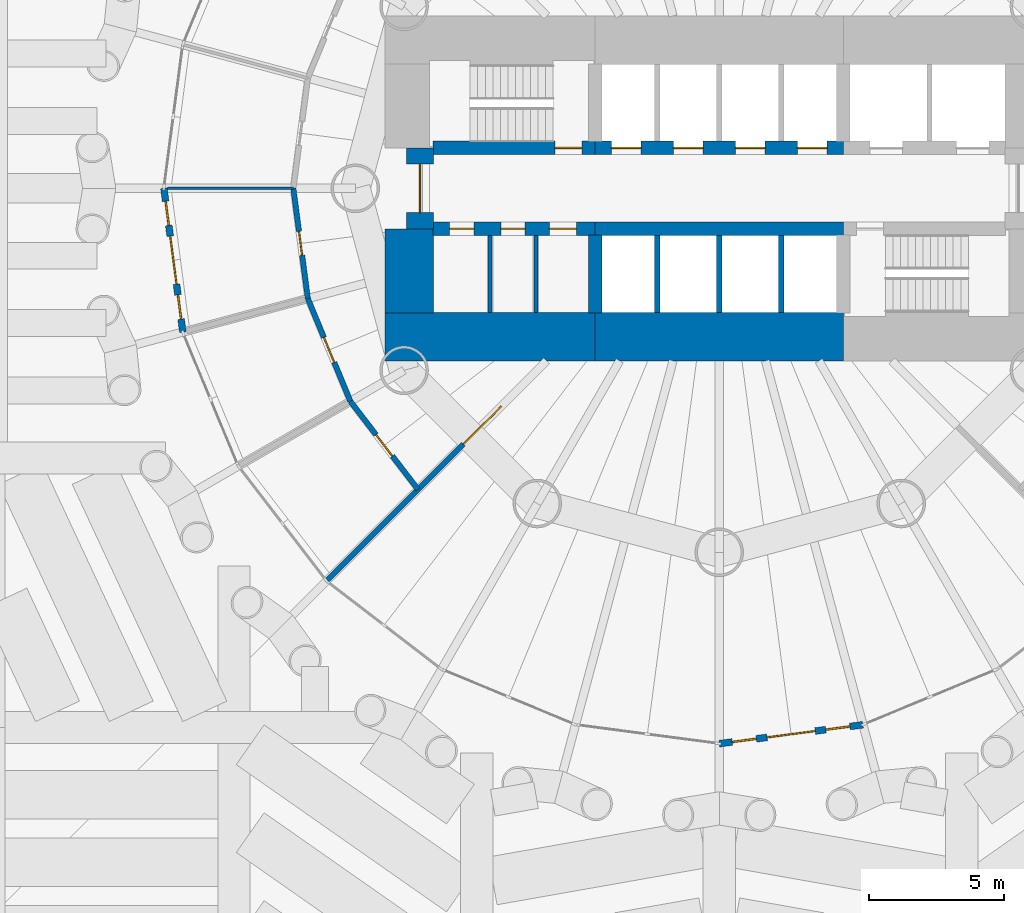
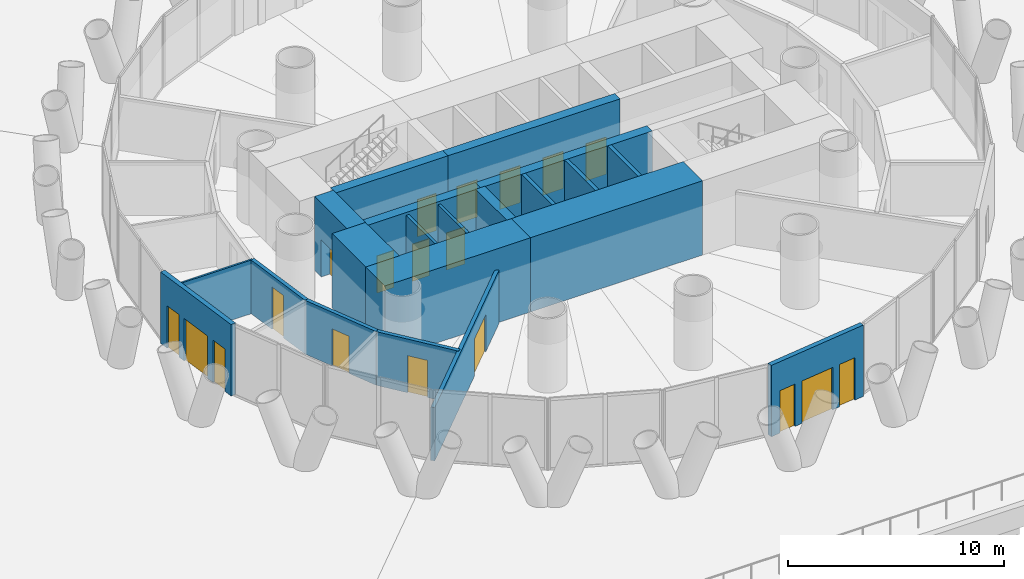
# One storey, part 13 of 19: 21 walls, 15 doors, 4 windows, 19 openings.
"""IFC4 building model written with IfcOpenShell, lengths in metres."""

from ifc_helpers import new_model, si_unit, direction, frame, frame_2d, origin, place, context, subcontext, project, spatial, rectangle, extrude, material, layer, layer_set, type_object, element, fill, save


model = new_model("IFC4")

# Units and contexts
model_context = context("Model", 3, precision=1e-05, world=origin(), true_north=direction((0.0, 1.0)))
body_context = subcontext(model_context, "Body", "Model", "MODEL_VIEW")
ifc_project = project(units=[si_unit("LENGTHUNIT", "METRE"), si_unit("AREAUNIT", "SQUARE_METRE"), si_unit("VOLUMEUNIT", "CUBIC_METRE"), si_unit("PLANEANGLEUNIT", "RADIAN"), si_unit("MASSUNIT", "GRAM", prefix="KILO")], contexts=[model_context])

# Site, building, storey
site_placement = place(None, origin())
site = spatial("IfcSite", under=ifc_project, at=site_placement, CompositionType="ELEMENT")
building_placement = place(site_placement, origin())
building = spatial("IfcBuilding", under=site, at=building_placement, Name="Qaws Media Tower", CompositionType="ELEMENT")
storey_placement = place(building_placement, frame((0.0, 0.0, 26.0)))
storey = spatial("IfcBuildingStorey", under=building, at=storey_placement, Name="L04", CompositionType="ELEMENT", Elevation=26.0)

# Wall, openings, door, windows
ifc_material_1 = material(Name="Precast concrete, exposed finish", Category="concrete")
ifc_layer_1 = layer(ifc_material_1, 0.25)
ifc_layer_set_1 = layer_set([ifc_layer_1], Name="Balcony door wall 250")
wall_type_1 = type_object("IfcWallType", Name="Balcony door wall 250", PredefinedType="SOLIDWALL", material=ifc_layer_set_1)
wall_1_placement = place(storey_placement, frame((39.39990234375, 50.0, 0.0), z_axis=(0.0, 0.0, 1.0), x_axis=(0.130519101615, -0.991445794844, 0.0)))
wall_1 = element("IfcWall", 1, at=wall_1_placement, inside=storey, type_object=wall_type_1, Name="W104 EW1 balcony door wall L04-13", PredefinedType="SOLIDWALL", context=body_context, shape_type="SweptSolid", body=[
    extrude(rectangle(XDim=5.377685546875, YDim=0.25, at=frame_2d((2.68896484375, 0.0))), origin(), (0.0, 0.0, 1.0), 4.0400390625),
])
opening_1_placement = place(wall_1_placement, frame((1.788818359375, 0.0, 0.0)))
opening_1 = element("IfcOpeningElement", 2, at=opening_1_placement, cuts=wall_1, Name="Opening D7", PredefinedType="OPENING", context=body_context, shape_type="SweptSolid", body=[
    extrude(rectangle(XDim=1.800048828125, YDim=2.39990234375, at=frame_2d((0.89990234375, 1.199951171875))), frame((0.0, 0.135009765625, 0.0), z_axis=(0.0, -1.0, 0.0), x_axis=(1.0, 0.0, 0.0)), (0.0, 0.0, 1.0), 0.27001953125),
])
opening_2_placement = place(wall_1_placement, frame((0.48876953125, 0.0, 0.0)))
opening_2 = element("IfcOpeningElement", 3, at=opening_2_placement, cuts=wall_1, Name="Opening W7", PredefinedType="OPENING", context=body_context, shape_type="SweptSolid", body=[
    extrude(rectangle(XDim=0.89990234375, YDim=2.39990234375, at=frame_2d((0.449951171875, 1.199951171875))), frame((0.0, 0.135009765625, 0.0), z_axis=(0.0, -1.0, 0.0), x_axis=(1.0, 0.0, 0.0)), (0.0, 0.0, 1.0), 0.27001953125),
])
opening_3_placement = place(wall_1_placement, frame((3.98876953125, 0.0, 0.0)))
opening_3 = element("IfcOpeningElement", 4, at=opening_3_placement, cuts=wall_1, Name="Opening W7", PredefinedType="OPENING", context=body_context, shape_type="SweptSolid", body=[
    extrude(rectangle(XDim=0.89990234375, YDim=2.39990234375, at=frame_2d((0.449951171875, 1.199951171875))), frame((0.0, 0.135009765625, 0.0), z_axis=(0.0, -1.0, 0.0), x_axis=(1.0, 0.0, 0.0)), (0.0, 0.0, 1.0), 0.27001953125),
])
ifc_material_2 = material(Name="Aluminium and clear glass", Category="aluminium")
door_type_1 = type_object("IfcDoorType", Name="Balcony door pair 1800", OperationType="DOUBLE_DOOR_SLIDING", PredefinedType="DOOR", material=ifc_material_2)
door_1_placement = place(opening_1_placement, origin())
door_1 = element("IfcDoor", 5, at=door_1_placement, inside=storey, type_object=door_type_1, Name="D7 balcony door L04-13 in wall W104", OperationType="DOUBLE_DOOR_SLIDING", OverallHeight=2.39990234375, OverallWidth=1.800048828125, PredefinedType="DOOR", context=body_context, shape_type="SweptSolid", body=[
    extrude(rectangle(XDim=1.800048828125, YDim=2.39990234375, at=frame_2d((0.89990234375, 1.199951171875))), frame((0.0, 0.02490234375, 0.0), z_axis=(0.0, -1.0, 0.0), x_axis=(1.0, 0.0, 0.0)), (0.0, 0.0, 1.0), 0.050048828125),
])
fill(opening_1, door_1)
ifc_material_3 = material(Name="Aluminium and clear glass", Category="aluminium")
window_type = type_object("IfcWindowType", Name="Balcony side window 900", PartitioningType="SINGLE_PANEL", PredefinedType="WINDOW", material=ifc_material_3)
window_1_placement = place(opening_2_placement, origin())
window_1 = element("IfcWindow", 6, at=window_1_placement, inside=storey, type_object=window_type, Name="W1 balcony side light L04-13L", OverallHeight=2.39990234375, OverallWidth=0.89990234375, PartitioningType="SINGLE_PANEL", PredefinedType="WINDOW", context=body_context, shape_type="SweptSolid", body=[
    extrude(rectangle(XDim=0.89990234375, YDim=2.39990234375, at=frame_2d((0.449951171875, 1.199951171875))), frame((0.0, 0.030029296875, 0.0), z_axis=(0.0, -1.0, 0.0), x_axis=(1.0, 0.0, 0.0)), (0.0, 0.0, 1.0), 0.06005859375),
])
fill(opening_2, window_1)
window_2_placement = place(opening_3_placement, origin())
window_2 = element("IfcWindow", 7, at=window_2_placement, inside=storey, type_object=window_type, Name="W1 balcony side light L04-13R", OverallHeight=2.39990234375, OverallWidth=0.89990234375, PartitioningType="SINGLE_PANEL", PredefinedType="WINDOW", context=body_context, shape_type="SweptSolid", body=[
    extrude(rectangle(XDim=0.89990234375, YDim=2.39990234375, at=frame_2d((0.449951171875, 1.199951171875))), frame((0.0, 0.030029296875, 0.0), z_axis=(0.0, -1.0, 0.0), x_axis=(1.0, 0.0, 0.0)), (0.0, 0.0, 1.0), 0.06005859375),
])
fill(opening_3, window_2)

wall_2_placement = place(storey_placement, frame((60.0, 29.39990234375, 0.0), z_axis=(0.0, 0.0, 1.0), x_axis=(0.991445794844, 0.130519101615, 0.0)))
wall_2 = element("IfcWall", 8, at=wall_2_placement, inside=storey, type_object=wall_type_1, Name="W105 EW1 balcony door wall L04-19", PredefinedType="SOLIDWALL", context=body_context, shape_type="SweptSolid", body=[
    extrude(rectangle(XDim=5.377685546875, YDim=0.25, at=frame_2d((2.68896484375, 0.0))), origin(), (0.0, 0.0, 1.0), 4.0400390625),
])
opening_4_placement = place(wall_2_placement, frame((1.788818359375, 0.0, 0.0)))
opening_4 = element("IfcOpeningElement", 9, at=opening_4_placement, cuts=wall_2, Name="Opening D7", PredefinedType="OPENING", context=body_context, shape_type="SweptSolid", body=[
    extrude(rectangle(XDim=1.800048828125, YDim=2.39990234375, at=frame_2d((0.89990234375, 1.199951171875))), frame((0.0, 0.135009765625, 0.0), z_axis=(0.0, -1.0, 0.0), x_axis=(1.0, 0.0, 0.0)), (0.0, 0.0, 1.0), 0.27001953125),
])
opening_5_placement = place(wall_2_placement, frame((0.48876953125, 0.0, 0.0)))
opening_5 = element("IfcOpeningElement", 10, at=opening_5_placement, cuts=wall_2, Name="Opening W7", PredefinedType="OPENING", context=body_context, shape_type="SweptSolid", body=[
    extrude(rectangle(XDim=0.89990234375, YDim=2.39990234375, at=frame_2d((0.449951171875, 1.199951171875))), frame((0.0, 0.135009765625, 0.0), z_axis=(0.0, -1.0, 0.0), x_axis=(1.0, 0.0, 0.0)), (0.0, 0.0, 1.0), 0.27001953125),
])
opening_6_placement = place(wall_2_placement, frame((3.98876953125, 0.0, 0.0)))
opening_6 = element("IfcOpeningElement", 11, at=opening_6_placement, cuts=wall_2, Name="Opening W7", PredefinedType="OPENING", context=body_context, shape_type="SweptSolid", body=[
    extrude(rectangle(XDim=0.89990234375, YDim=2.39990234375, at=frame_2d((0.449951171875, 1.199951171875))), frame((0.0, 0.135009765625, 0.0), z_axis=(0.0, -1.0, 0.0), x_axis=(1.0, 0.0, 0.0)), (0.0, 0.0, 1.0), 0.27001953125),
])
door_2_placement = place(opening_4_placement, origin())
door_2 = element("IfcDoor", 12, at=door_2_placement, inside=storey, type_object=door_type_1, Name="D7 balcony door L04-19 in wall W105", OperationType="DOUBLE_DOOR_SLIDING", OverallHeight=2.39990234375, OverallWidth=1.800048828125, PredefinedType="DOOR", context=body_context, shape_type="SweptSolid", body=[
    extrude(rectangle(XDim=1.800048828125, YDim=2.39990234375, at=frame_2d((0.89990234375, 1.199951171875))), frame((0.0, 0.02490234375, 0.0), z_axis=(0.0, -1.0, 0.0), x_axis=(1.0, 0.0, 0.0)), (0.0, 0.0, 1.0), 0.050048828125),
])
fill(opening_4, door_2)
window_3_placement = place(opening_5_placement, origin())
window_3 = element("IfcWindow", 13, at=window_3_placement, inside=storey, type_object=window_type, Name="W1 balcony side light L04-19L", OverallHeight=2.39990234375, OverallWidth=0.89990234375, PartitioningType="SINGLE_PANEL", PredefinedType="WINDOW", context=body_context, shape_type="SweptSolid", body=[
    extrude(rectangle(XDim=0.89990234375, YDim=2.39990234375, at=frame_2d((0.449951171875, 1.199951171875))), frame((0.0, 0.030029296875, 0.0), z_axis=(0.0, -1.0, 0.0), x_axis=(1.0, 0.0, 0.0)), (0.0, 0.0, 1.0), 0.06005859375),
])
fill(opening_5, window_3)
window_4_placement = place(opening_6_placement, origin())
window_4 = element("IfcWindow", 14, at=window_4_placement, inside=storey, type_object=window_type, Name="W1 balcony side light L04-19R", OverallHeight=2.39990234375, OverallWidth=0.89990234375, PartitioningType="SINGLE_PANEL", PredefinedType="WINDOW", context=body_context, shape_type="SweptSolid", body=[
    extrude(rectangle(XDim=0.89990234375, YDim=2.39990234375, at=frame_2d((0.449951171875, 1.199951171875))), frame((0.0, 0.030029296875, 0.0), z_axis=(0.0, -1.0, 0.0), x_axis=(1.0, 0.0, 0.0)), (0.0, 0.0, 1.0), 0.06005859375),
])
fill(opening_6, window_4)

# Wall, opening, door
ifc_material_4 = material(Name="Concrete C60/75", Category="concrete")
ifc_layer_2 = layer(ifc_material_4, 0.5)
ifc_layer_set_2 = layer_set([ifc_layer_2], Name="Core inner wall 500")
wall_type_2 = type_object("IfcWallType", Name="Core inner wall 500", PredefinedType="SHEAR", material=ifc_layer_set_2)
wall_3_placement = place(storey_placement, frame((49.3798828125, 51.5, 0.0), z_axis=(0.0, 0.0, 1.0), x_axis=(1.0, 0.0, 0.0)))
wall_3 = element("IfcWall", 15, at=wall_3_placement, inside=storey, type_object=wall_type_2, Name="W329 SW12 core wall SPNW L04", PredefinedType="SHEAR", context=body_context, shape_type="SweptSolid", body=[
    extrude(rectangle(XDim=6.02001953125, YDim=0.5, at=frame_2d((3.010009765625, 0.0))), origin(), (0.0, 0.0, 1.0), 4.199951171875),
])
opening_7_placement = place(wall_3_placement, frame((4.52001953125, 0.0, 0.0)))
opening_7 = element("IfcOpeningElement", 16, at=opening_7_placement, cuts=wall_3, Name="Opening D1", PredefinedType="OPENING", context=body_context, shape_type="SweptSolid", body=[
    extrude(rectangle(XDim=1.0, YDim=2.10009765625, at=frame_2d((0.5, 1.050048828125))), frame((0.0, 0.260009765625, 0.0), z_axis=(0.0, -1.0, 0.0), x_axis=(1.0, 0.0, 0.0)), (0.0, 0.0, 1.0), 0.52001953125),
])
ifc_material_5 = material(Name="Steel, fire rated", Category="steel")
door_type_2 = type_object("IfcDoorType", Name="Stair door 1000 FD120", OperationType="SINGLE_SWING_LEFT", PredefinedType="DOOR", material=ifc_material_5)
door_3_placement = place(opening_7_placement, origin())
door_3 = element("IfcDoor", 17, at=door_3_placement, inside=storey, type_object=door_type_2, Name="D1 stair S1 door L04 in wall W329", OperationType="SINGLE_SWING_LEFT", OverallHeight=2.10009765625, OverallWidth=1.0, PredefinedType="DOOR", context=body_context, shape_type="SweptSolid", body=[
    extrude(rectangle(XDim=1.0, YDim=2.10009765625, at=frame_2d((0.5, 1.050048828125))), frame((0.0, 0.02490234375, 0.0), z_axis=(0.0, -1.0, 0.0), x_axis=(1.0, 0.0, 0.0)), (0.0, 0.0, 1.0), 0.050048828125),
])
fill(opening_7, door_3)

# Wall, openings, doors
wall_4_placement = place(storey_placement, frame((55.39990234375, 51.5, 0.0), z_axis=(0.0, 0.0, 1.0), x_axis=(1.0, 0.0, 0.0)))
wall_4 = element("IfcWall", 18, at=wall_4_placement, inside=storey, type_object=wall_type_2, Name="W332 SW12 core wall SPN L04", PredefinedType="SHEAR", context=body_context, shape_type="SweptSolid", body=[
    extrude(rectangle(XDim=9.2001953125, YDim=0.5, at=frame_2d((4.60009765625, 0.0))), origin(), (0.0, 0.0, 1.0), 4.199951171875),
])
opening_8_placement = place(wall_4_placement, frame((0.60009765625, 0.0, 0.0)))
opening_8 = element("IfcOpeningElement", 19, at=opening_8_placement, cuts=wall_4, Name="Opening LD", PredefinedType="OPENING", context=body_context, shape_type="SweptSolid", body=[
    extrude(rectangle(XDim=1.10009765625, YDim=2.10009765625, at=frame_2d((0.550048828125, 1.050048828125))), frame((0.0, 0.260009765625, 0.0), z_axis=(0.0, -1.0, 0.0), x_axis=(1.0, 0.0, 0.0)), (0.0, 0.0, 1.0), 0.52001953125),
])
opening_9_placement = place(wall_4_placement, frame((2.89990234375, 0.0, 0.0)))
opening_9 = element("IfcOpeningElement", 20, at=opening_9_placement, cuts=wall_4, Name="Opening LD", PredefinedType="OPENING", context=body_context, shape_type="SweptSolid", body=[
    extrude(rectangle(XDim=1.10009765625, YDim=2.10009765625, at=frame_2d((0.550048828125, 1.050048828125))), frame((0.0, 0.260009765625, 0.0), z_axis=(0.0, -1.0, 0.0), x_axis=(1.0, 0.0, 0.0)), (0.0, 0.0, 1.0), 0.52001953125),
])
opening_10_placement = place(wall_4_placement, frame((5.199951171875, 0.0, 0.0)))
opening_10 = element("IfcOpeningElement", 21, at=opening_10_placement, cuts=wall_4, Name="Opening LD", PredefinedType="OPENING", context=body_context, shape_type="SweptSolid", body=[
    extrude(rectangle(XDim=1.10009765625, YDim=2.10009765625, at=frame_2d((0.550048828125, 1.050048828125))), frame((0.0, 0.260009765625, 0.0), z_axis=(0.0, -1.0, 0.0), x_axis=(1.0, 0.0, 0.0)), (0.0, 0.0, 1.0), 0.52001953125),
])
opening_11_placement = place(wall_4_placement, frame((7.5, 0.0, 0.0)))
opening_11 = element("IfcOpeningElement", 22, at=opening_11_placement, cuts=wall_4, Name="Opening LD", PredefinedType="OPENING", context=body_context, shape_type="SweptSolid", body=[
    extrude(rectangle(XDim=1.10009765625, YDim=2.10009765625, at=frame_2d((0.550048828125, 1.050048828125))), frame((0.0, 0.260009765625, 0.0), z_axis=(0.0, -1.0, 0.0), x_axis=(1.0, 0.0, 0.0)), (0.0, 0.0, 1.0), 0.52001953125),
])
ifc_material_6 = material(Name="Steel, fire rated", Category="steel")
door_type_3 = type_object("IfcDoorType", Name="Lift landing door 1100", OperationType="SLIDING_TO_LEFT", PredefinedType="DOOR", material=ifc_material_6)
door_4_placement = place(opening_8_placement, origin())
door_4 = element("IfcDoor", 23, at=door_4_placement, inside=storey, type_object=door_type_3, Name="P1 landing door L04 in wall W332", OperationType="SLIDING_TO_LEFT", OverallHeight=2.10009765625, OverallWidth=1.10009765625, PredefinedType="DOOR", context=body_context, shape_type="SweptSolid", body=[
    extrude(rectangle(XDim=1.10009765625, YDim=2.10009765625, at=frame_2d((0.550048828125, 1.050048828125))), frame((0.0, 0.02490234375, 0.0), z_axis=(0.0, -1.0, 0.0), x_axis=(1.0, 0.0, 0.0)), (0.0, 0.0, 1.0), 0.050048828125),
])
fill(opening_8, door_4)
door_5_placement = place(opening_9_placement, origin())
door_5 = element("IfcDoor", 24, at=door_5_placement, inside=storey, type_object=door_type_3, Name="P2 landing door L04 in wall W332", OperationType="SLIDING_TO_LEFT", OverallHeight=2.10009765625, OverallWidth=1.10009765625, PredefinedType="DOOR", context=body_context, shape_type="SweptSolid", body=[
    extrude(rectangle(XDim=1.10009765625, YDim=2.10009765625, at=frame_2d((0.550048828125, 1.050048828125))), frame((0.0, 0.02490234375, 0.0), z_axis=(0.0, -1.0, 0.0), x_axis=(1.0, 0.0, 0.0)), (0.0, 0.0, 1.0), 0.050048828125),
])
fill(opening_9, door_5)
door_6_placement = place(opening_10_placement, origin())
door_6 = element("IfcDoor", 25, at=door_6_placement, inside=storey, type_object=door_type_3, Name="P3 landing door L04 in wall W332", OperationType="SLIDING_TO_LEFT", OverallHeight=2.10009765625, OverallWidth=1.10009765625, PredefinedType="DOOR", context=body_context, shape_type="SweptSolid", body=[
    extrude(rectangle(XDim=1.10009765625, YDim=2.10009765625, at=frame_2d((0.550048828125, 1.050048828125))), frame((0.0, 0.02490234375, 0.0), z_axis=(0.0, -1.0, 0.0), x_axis=(1.0, 0.0, 0.0)), (0.0, 0.0, 1.0), 0.050048828125),
])
fill(opening_10, door_6)
door_7_placement = place(opening_11_placement, origin())
door_7 = element("IfcDoor", 26, at=door_7_placement, inside=storey, type_object=door_type_3, Name="P4 landing door L04 in wall W332", OperationType="SLIDING_TO_LEFT", OverallHeight=2.10009765625, OverallWidth=1.10009765625, PredefinedType="DOOR", context=body_context, shape_type="SweptSolid", body=[
    extrude(rectangle(XDim=1.10009765625, YDim=2.10009765625, at=frame_2d((0.550048828125, 1.050048828125))), frame((0.0, 0.02490234375, 0.0), z_axis=(0.0, -1.0, 0.0), x_axis=(1.0, 0.0, 0.0)), (0.0, 0.0, 1.0), 0.050048828125),
])
fill(opening_11, door_7)

wall_5_placement = place(storey_placement, frame((49.3798828125, 48.5, 0.0), z_axis=(0.0, 0.0, 1.0), x_axis=(1.0, 0.0, 0.0)))
wall_5 = element("IfcWall", 27, at=wall_5_placement, inside=storey, type_object=wall_type_2, Name="W328 SW12 core wall SPSW L04", PredefinedType="SHEAR", context=body_context, shape_type="SweptSolid", body=[
    extrude(rectangle(XDim=6.02001953125, YDim=0.5, at=frame_2d((3.010009765625, 0.0))), origin(), (0.0, 0.0, 1.0), 4.199951171875),
])
opening_12_placement = place(wall_5_placement, frame((0.6201171875, 0.0, 0.0)))
opening_12 = element("IfcOpeningElement", 28, at=opening_12_placement, cuts=wall_5, Name="Opening D3", PredefinedType="OPENING", context=body_context, shape_type="SweptSolid", body=[
    extrude(rectangle(XDim=0.89990234375, YDim=2.10009765625, at=frame_2d((0.449951171875, 1.050048828125))), frame((0.0, 0.260009765625, 0.0), z_axis=(0.0, -1.0, 0.0), x_axis=(1.0, 0.0, 0.0)), (0.0, 0.0, 1.0), 0.52001953125),
])
opening_13_placement = place(wall_5_placement, frame((2.52001953125, 0.0, 0.0)))
opening_13 = element("IfcOpeningElement", 29, at=opening_13_placement, cuts=wall_5, Name="Opening D3", PredefinedType="OPENING", context=body_context, shape_type="SweptSolid", body=[
    extrude(rectangle(XDim=0.89990234375, YDim=2.10009765625, at=frame_2d((0.449951171875, 1.050048828125))), frame((0.0, 0.260009765625, 0.0), z_axis=(0.0, -1.0, 0.0), x_axis=(1.0, 0.0, 0.0)), (0.0, 0.0, 1.0), 0.52001953125),
])
opening_14_placement = place(wall_5_placement, frame((4.320068359375, 0.0, 0.0)))
opening_14 = element("IfcOpeningElement", 30, at=opening_14_placement, cuts=wall_5, Name="Opening D4", PredefinedType="OPENING", context=body_context, shape_type="SweptSolid", body=[
    extrude(rectangle(XDim=1.0, YDim=2.10009765625, at=frame_2d((0.5, 1.050048828125))), frame((0.0, 0.260009765625, 0.0), z_axis=(0.0, -1.0, 0.0), x_axis=(1.0, 0.0, 0.0)), (0.0, 0.0, 1.0), 0.52001953125),
])
ifc_material_7 = material(Name="Timber veneered", Category="wood")
door_type_4 = type_object("IfcDoorType", Name="Accessible WC door 1000", OperationType="SLIDING_TO_LEFT", PredefinedType="DOOR", material=ifc_material_7)
door_8_placement = place(opening_14_placement, origin())
door_8 = element("IfcDoor", 31, at=door_8_placement, inside=storey, type_object=door_type_4, Name="D4 toilet door 3 L04 in wall W328", OperationType="SLIDING_TO_LEFT", OverallHeight=2.10009765625, OverallWidth=1.0, PredefinedType="DOOR", context=body_context, shape_type="SweptSolid", body=[
    extrude(rectangle(XDim=1.0, YDim=2.10009765625, at=frame_2d((0.5, 1.050048828125))), frame((0.0, 0.02490234375, 0.0), z_axis=(0.0, -1.0, 0.0), x_axis=(1.0, 0.0, 0.0)), (0.0, 0.0, 1.0), 0.050048828125),
])
fill(opening_14, door_8)
ifc_material_8 = material(Name="Timber veneered", Category="wood")
door_type_5 = type_object("IfcDoorType", Name="Toilet door 900", OperationType="SINGLE_SWING_RIGHT", PredefinedType="DOOR", material=ifc_material_8)
door_9_placement = place(opening_12_placement, origin())
door_9 = element("IfcDoor", 32, at=door_9_placement, inside=storey, type_object=door_type_5, Name="D3 toilet door 1 L04 in wall W328", OperationType="SINGLE_SWING_RIGHT", OverallHeight=2.10009765625, OverallWidth=0.89990234375, PredefinedType="DOOR", context=body_context, shape_type="SweptSolid", body=[
    extrude(rectangle(XDim=0.89990234375, YDim=2.10009765625, at=frame_2d((0.449951171875, 1.050048828125))), frame((0.0, 0.02490234375, 0.0), z_axis=(0.0, -1.0, 0.0), x_axis=(1.0, 0.0, 0.0)), (0.0, 0.0, 1.0), 0.050048828125),
])
fill(opening_12, door_9)
door_10_placement = place(opening_13_placement, origin())
door_10 = element("IfcDoor", 33, at=door_10_placement, inside=storey, type_object=door_type_5, Name="D3 toilet door 2 L04 in wall W328", OperationType="SINGLE_SWING_RIGHT", OverallHeight=2.10009765625, OverallWidth=0.89990234375, PredefinedType="DOOR", context=body_context, shape_type="SweptSolid", body=[
    extrude(rectangle(XDim=0.89990234375, YDim=2.10009765625, at=frame_2d((0.449951171875, 1.050048828125))), frame((0.0, 0.02490234375, 0.0), z_axis=(0.0, -1.0, 0.0), x_axis=(1.0, 0.0, 0.0)), (0.0, 0.0, 1.0), 0.050048828125),
])
fill(opening_13, door_10)

# Walls
wall_6_placement = place(storey_placement, frame((55.39990234375, 48.5, 0.0), z_axis=(0.0, 0.0, 1.0), x_axis=(1.0, 0.0, 0.0)))
element("IfcWall", 34, at=wall_6_placement, inside=storey, type_object=wall_type_2, Name="W331 SW12 core wall SPS L04", PredefinedType="SHEAR", context=body_context, shape_type="SweptSolid", body=[
    extrude(rectangle(XDim=9.2001953125, YDim=0.5, at=frame_2d((4.60009765625, 0.0))), origin(), (0.0, 0.0, 1.0), 4.199951171875),
])
wall_7_placement = place(storey_placement, frame((55.39990234375, 48.27001953125, 0.0), z_axis=(0.0, 0.0, 1.0), x_axis=(0.0, -1.0, 0.0)))
element("IfcWall", 35, at=wall_7_placement, inside=storey, type_object=wall_type_2, Name="W330 SW12 core wall XSW L04", PredefinedType="SHEAR", context=body_context, shape_type="SweptSolid", body=[
    extrude(rectangle(XDim=2.89013671875, YDim=0.5, at=frame_2d((1.445068359375, 0.0))), origin(), (0.0, 0.0, 1.0), 4.199951171875),
])

# Wall, opening, door
ifc_material_9 = material(Name="Concrete C60/75", Category="concrete")
ifc_layer_3 = layer(ifc_material_9, 1.0)
ifc_layer_set_3 = layer_set([ifc_layer_3], Name="Core wall 1000")
wall_type_3 = type_object("IfcWallType", Name="Core wall 1000", PredefinedType="SHEAR", material=ifc_layer_set_3)
wall_8_placement = place(storey_placement, frame((48.89990234375, 48.5, 0.0), z_axis=(0.0, 0.0, 1.0), x_axis=(0.0, 1.0, 0.0)))
wall_8 = element("IfcWall", 36, at=wall_8_placement, inside=storey, type_object=wall_type_3, Name="W364 SW8 core wall W L04", PredefinedType="SHEAR", context=body_context, shape_type="SweptSolid", body=[
    extrude(rectangle(XDim=3.0, YDim=1.0, at=frame_2d((1.5, 0.0))), origin(), (0.0, 0.0, 1.0), 4.199951171875),
])
opening_15_placement = place(wall_8_placement, frame((0.60009765625, 0.0, 0.0)))
opening_15 = element("IfcOpeningElement", 37, at=opening_15_placement, cuts=wall_8, Name="Opening D2", PredefinedType="OPENING", context=body_context, shape_type="SweptSolid", body=[
    extrude(rectangle(XDim=1.800048828125, YDim=2.10009765625, at=frame_2d((0.89990234375, 1.050048828125))), frame((0.0, 0.510009765625, 0.0), z_axis=(0.0, -1.0, 0.0), x_axis=(1.0, 0.0, 0.0)), (0.0, 0.0, 1.0), 1.02001953125),
])
ifc_material_10 = material(Name="Steel and glass, fire rated", Category="steel")
door_type_6 = type_object("IfcDoorType", Name="Lobby door pair 1800 FD60", OperationType="DOUBLE_DOOR_DOUBLE_SWING", PredefinedType="DOOR", material=ifc_material_10)
door_11_placement = place(opening_15_placement, origin())
door_11 = element("IfcDoor", 38, at=door_11_placement, inside=storey, type_object=door_type_6, Name="D2 core lobby door W L04 in wall W364", OperationType="DOUBLE_DOOR_DOUBLE_SWING", OverallHeight=2.10009765625, OverallWidth=1.800048828125, PredefinedType="DOOR", context=body_context, shape_type="SweptSolid", body=[
    extrude(rectangle(XDim=1.800048828125, YDim=2.10009765625, at=frame_2d((0.89990234375, 1.050048828125))), frame((0.0, 0.02490234375, 0.0), z_axis=(0.0, -1.0, 0.0), x_axis=(1.0, 0.0, 0.0)), (0.0, 0.0, 1.0), 0.050048828125),
])
fill(opening_15, door_11)

# Walls
ifc_material_11 = material(Name="Concrete C60/75", Category="concrete")
ifc_layer_4 = layer(ifc_material_11, 1.800048828125)
ifc_layer_set_4 = layer_set([ifc_layer_4], Name="Core wall 1800")
wall_type_4 = type_object("IfcWallType", Name="Core wall 1800", PredefinedType="SHEAR", material=ifc_layer_set_4)
wall_9_placement = place(storey_placement, frame((47.60009765625, 44.5, 0.0), z_axis=(0.0, 0.0, 1.0), x_axis=(1.0, 0.0, 0.0)))
element("IfcWall", 39, at=wall_9_placement, inside=storey, type_object=wall_type_4, Name="W398 SW11 core wall SW L04", PredefinedType="SHEAR", context=body_context, shape_type="SweptSolid", body=[
    extrude(rectangle(XDim=7.7998046875, YDim=1.800048828125, at=frame_2d((3.89990234375, 0.0))), origin(), (0.0, 0.0, 1.0), 4.199951171875),
])
wall_10_placement = place(storey_placement, frame((55.39990234375, 44.5, 0.0), z_axis=(0.0, 0.0, 1.0), x_axis=(1.0, 0.0, 0.0)))
element("IfcWall", 40, at=wall_10_placement, inside=storey, type_object=wall_type_4, Name="W403 SW11 core wall S L04", PredefinedType="SHEAR", context=body_context, shape_type="SweptSolid", body=[
    extrude(rectangle(XDim=9.2001953125, YDim=1.800048828125, at=frame_2d((4.60009765625, 0.0))), origin(), (0.0, 0.0, 1.0), 4.199951171875),
])
wall_11_placement = place(storey_placement, frame((48.5, 45.3798828125, 0.0), z_axis=(0.0, 0.0, 1.0), x_axis=(0.0, 1.0, 0.0)))
element("IfcWall", 41, at=wall_11_placement, inside=storey, type_object=wall_type_4, Name="W400 SW11 core wall WS L04", PredefinedType="SHEAR", context=body_context, shape_type="SweptSolid", body=[
    extrude(rectangle(XDim=3.1201171875, YDim=1.800048828125, at=frame_2d((1.56005859375, 0.0))), origin(), (0.0, 0.0, 1.0), 4.199951171875),
])
ifc_material_12 = material(Name="Gypsum board on 70 metal studs, single layer each side", Category="gypsum")
ifc_layer_5 = layer(ifc_material_12, 0.10009765625)
ifc_layer_set_5 = layer_set([ifc_layer_5], Name="Office stud partition 100")
wall_type_5 = type_object("IfcWallType", Name="Office stud partition 100", PredefinedType="PARTITIONING", material=ifc_layer_set_5)
wall_12_placement = place(storey_placement, frame((44.199951171875, 50.0, 0.0), z_axis=(0.0, 0.0, 1.0), x_axis=(-1.0, 0.0, 0.0)))
element("IfcWall", 42, at=wall_12_placement, inside=storey, type_object=wall_type_5, Name="W634 IW4 partition L04", PredefinedType="PARTITIONING", context=body_context, shape_type="SweptSolid", body=[
    extrude(rectangle(XDim=4.659912109375, YDim=0.10009765625, at=frame_2d((2.330078125, 0.0))), origin(), (0.0, 0.0, 1.0), 3.0400390625),
])

# Wall, opening, door
ifc_material_13 = material(Name="Gypsum board on galvanised metal studs, acoustic double stud, deflection head", Category="gypsum")
ifc_layer_6 = layer(ifc_material_13, 0.199951171875)
ifc_layer_set_6 = layer_set([ifc_layer_6], Name="Room partition 200")
wall_type_6 = type_object("IfcWallType", Name="Room partition 200", PredefinedType="PARTITIONING", material=ifc_layer_set_6)
wall_13_placement = place(storey_placement, frame((48.82763671875, 38.82763671875, 0.0), z_axis=(0.0, 0.0, 1.0), x_axis=(-0.608714823874, 0.793389099494, 0.0)))
wall_13 = element("IfcWall", 43, at=wall_13_placement, inside=storey, type_object=wall_type_6, Name="W948 IW3 partition L04", PredefinedType="PARTITIONING", context=body_context, shape_type="SweptSolid", body=[
    extrude(rectangle(XDim=4.124755859375, YDim=0.199951171875, at=frame_2d((2.0625, 0.0))), origin(), (0.0, 0.0, 1.0), 3.0400390625),
])
opening_16_placement = place(wall_13_placement, frame((1.562255859375, 0.0, 0.0)))
opening_16 = element("IfcOpeningElement", 44, at=opening_16_placement, cuts=wall_13, Name="Opening D5", PredefinedType="OPENING", context=body_context, shape_type="SweptSolid", body=[
    extrude(rectangle(XDim=1.0, YDim=2.10009765625, at=frame_2d((0.5, 1.050048828125))), frame((0.0, 0.10986328125, 0.0), z_axis=(0.0, -1.0, 0.0), x_axis=(1.0, 0.0, 0.0)), (0.0, 0.0, 1.0), 0.219970703125),
])
ifc_material_14 = material(Name="Timber veneered, acoustic seal", Category="wood")
door_type_7 = type_object("IfcDoorType", Name="Room door 1000", OperationType="SINGLE_SWING_LEFT", PredefinedType="DOOR", material=ifc_material_14)
door_12_placement = place(opening_16_placement, origin())
door_12 = element("IfcDoor", 45, at=door_12_placement, inside=storey, type_object=door_type_7, Name="D5 Ladies toilets door L04 in wall W948", OperationType="SINGLE_SWING_LEFT", OverallHeight=2.10009765625, OverallWidth=1.0, PredefinedType="DOOR", context=body_context, shape_type="SweptSolid", body=[
    extrude(rectangle(XDim=1.0, YDim=2.10009765625, at=frame_2d((0.5, 1.050048828125))), frame((0.0, 0.02490234375, 0.0), z_axis=(0.0, -1.0, 0.0), x_axis=(1.0, 0.0, 0.0)), (0.0, 0.0, 1.0), 0.050048828125),
])
fill(opening_16, door_12)

wall_14_placement = place(storey_placement, frame((46.31689453125, 42.10009765625, 0.0), z_axis=(0.0, 0.0, 1.0), x_axis=(-0.382731667114, 0.923859551549, 0.0)))
wall_14 = element("IfcWall", 46, at=wall_14_placement, inside=storey, type_object=wall_type_6, Name="W946 IW3 partition L04", PredefinedType="PARTITIONING", context=body_context, shape_type="SweptSolid", body=[
    extrude(rectangle(XDim=4.12451171875, YDim=0.199951171875, at=frame_2d((2.062255859375, 0.0))), origin(), (0.0, 0.0, 1.0), 3.0400390625),
])
opening_17_placement = place(wall_14_placement, frame((1.562255859375, 0.0, 0.0)))
opening_17 = element("IfcOpeningElement", 47, at=opening_17_placement, cuts=wall_14, Name="Opening D5", PredefinedType="OPENING", context=body_context, shape_type="SweptSolid", body=[
    extrude(rectangle(XDim=1.0, YDim=2.10009765625, at=frame_2d((0.5, 1.050048828125))), frame((0.0, 0.10986328125, 0.0), z_axis=(0.0, -1.0, 0.0), x_axis=(1.0, 0.0, 0.0)), (0.0, 0.0, 1.0), 0.219970703125),
])
door_13_placement = place(opening_17_placement, origin())
door_13 = element("IfcDoor", 48, at=door_13_placement, inside=storey, type_object=door_type_7, Name="D5 Gents toilets door L04 in wall W946", OperationType="SINGLE_SWING_LEFT", OverallHeight=2.10009765625, OverallWidth=1.0, PredefinedType="DOOR", context=body_context, shape_type="SweptSolid", body=[
    extrude(rectangle(XDim=1.0, YDim=2.10009765625, at=frame_2d((0.5, 1.050048828125))), frame((0.0, 0.02490234375, 0.0), z_axis=(0.0, -1.0, 0.0), x_axis=(1.0, 0.0, 0.0)), (0.0, 0.0, 1.0), 0.050048828125),
])
fill(opening_17, door_13)

wall_15_placement = place(storey_placement, frame((44.73828125, 45.91064453125, 0.0), z_axis=(0.0, 0.0, 1.0), x_axis=(-0.130515758099, 0.991446234996, 0.0)))
wall_15 = element("IfcWall", 49, at=wall_15_placement, inside=storey, type_object=wall_type_6, Name="W943 IW3 partition L04", PredefinedType="PARTITIONING", context=body_context, shape_type="SweptSolid", body=[
    extrude(rectangle(XDim=4.124755859375, YDim=0.199951171875, at=frame_2d((2.0625, 0.0))), origin(), (0.0, 0.0, 1.0), 3.0400390625),
])
opening_18_placement = place(wall_15_placement, frame((1.6123046875, 0.0, 0.0)))
opening_18 = element("IfcOpeningElement", 50, at=opening_18_placement, cuts=wall_15, Name="Opening D12", PredefinedType="OPENING", context=body_context, shape_type="SweptSolid", body=[
    extrude(rectangle(XDim=0.89990234375, YDim=2.39990234375, at=frame_2d((0.449951171875, 1.199951171875))), frame((0.0, 0.10986328125, 0.0), z_axis=(0.0, -1.0, 0.0), x_axis=(1.0, 0.0, 0.0)), (0.0, 0.0, 1.0), 0.219970703125),
])
ifc_material_15 = material(Name="Timber veneered, full height", Category="wood")
door_type_8 = type_object("IfcDoorType", Name="Office door 900x2400", OperationType="SINGLE_SWING_LEFT", PredefinedType="DOOR", material=ifc_material_15)
door_14_placement = place(opening_18_placement, origin())
door_14 = element("IfcDoor", 51, at=door_14_placement, inside=storey, type_object=door_type_8, Name="D12 Editor's office door L04 in wall W943", OperationType="SINGLE_SWING_LEFT", OverallHeight=2.39990234375, OverallWidth=0.89990234375, PredefinedType="DOOR", context=body_context, shape_type="SweptSolid", body=[
    extrude(rectangle(XDim=0.89990234375, YDim=2.39990234375, at=frame_2d((0.449951171875, 1.199951171875))), frame((0.0, 0.02490234375, 0.0), z_axis=(0.0, -1.0, 0.0), x_axis=(1.0, 0.0, 0.0)), (0.0, 0.0, 1.0), 0.050048828125),
])
fill(opening_18, door_14)

wall_16_placement = place(storey_placement, frame((53.60009765625, 43.60009765625, 0.0), z_axis=(0.0, 0.0, 1.0), x_axis=(-0.707106781187, -0.707106781187, 0.0)))
wall_16 = element("IfcWall", 52, at=wall_16_placement, inside=storey, type_object=wall_type_6, Name="W949 IW3 partition L04", PredefinedType="PARTITIONING", context=body_context, shape_type="SweptSolid", body=[
    extrude(rectangle(XDim=11.509033203125, YDim=0.199951171875, at=frame_2d((5.75439453125, 0.0))), origin(), (0.0, 0.0, 1.0), 3.02001953125),
])
opening_19_placement = place(wall_16_placement, frame((2.37451171875, 0.0, 0.0)))
opening_19 = element("IfcOpeningElement", 53, at=opening_19_placement, cuts=wall_16, Name="Opening D6", PredefinedType="OPENING", context=body_context, shape_type="SweptSolid", body=[
    extrude(rectangle(XDim=2.0, YDim=2.10009765625, at=frame_2d((1.0, 1.050048828125))), frame((0.0, 0.10986328125, 0.0), z_axis=(0.0, -1.0, 0.0), x_axis=(1.0, 0.0, 0.0)), (0.0, 0.0, 1.0), 0.219970703125),
])
ifc_material_16 = material(Name="Steel, acoustic, fire rated", Category="steel")
door_type_9 = type_object("IfcDoorType", Name="Room door pair 2000", OperationType="DOUBLE_DOOR_DOUBLE_SWING", PredefinedType="DOOR", material=ifc_material_16)
door_15_placement = place(opening_19_placement, origin())
door_15 = element("IfcDoor", 54, at=door_15_placement, inside=storey, type_object=door_type_9, Name="D6 Digital desk door L04 in wall W949", OperationType="DOUBLE_DOOR_DOUBLE_SWING", OverallHeight=2.10009765625, OverallWidth=2.0, PredefinedType="DOOR", context=body_context, shape_type="SweptSolid", body=[
    extrude(rectangle(XDim=2.0, YDim=2.10009765625, at=frame_2d((1.0, 1.050048828125))), frame((0.0, 0.02490234375, 0.0), z_axis=(0.0, -1.0, 0.0), x_axis=(1.0, 0.0, 0.0)), (0.0, 0.0, 1.0), 0.050048828125),
])
fill(opening_19, door_15)

# Walls
ifc_material_17 = material(Name="Fire-rated gypsum board shaft wall on galvanised metal studs, deflection head", Category="gypsum")
ifc_layer_7 = layer(ifc_material_17, 0.199951171875)
ifc_layer_set_7 = layer_set([ifc_layer_7], Name="Shaft wall 200")
wall_type_7 = type_object("IfcWallType", Name="Shaft wall 200", PredefinedType="PARTITIONING", material=ifc_layer_set_7)
for number, where, z_axis, x_axis, name in (
    (55, (57.699951171875, 45.39990234375, 0.0), (0.0, 0.0, 1.0), (0.0, 1.0, 0.0), "W1846 IW1 shaft wall S1 L04"),
    (56, (60.0, 45.39990234375, 0.0), (0.0, 0.0, 1.0), (0.0, 1.0, 0.0), "W1848 IW1 shaft wall S2 L04"),
    (57, (62.300048828125, 45.39990234375, 0.0), (0.0, 0.0, 1.0), (0.0, 1.0, 0.0), "W1850 IW1 shaft wall S3 L04"),
):
    element("IfcWall", number, at=place(storey_placement, frame(where, z_axis=z_axis, x_axis=x_axis)), inside=storey, type_object=wall_type_7, Name=name, PredefinedType="PARTITIONING", context=body_context, shape_type="SweptSolid", body=[
        extrude(rectangle(XDim=2.85009765625, YDim=0.199951171875, at=frame_2d((1.425048828125, 0.0))), origin(), (0.0, 0.0, 1.0), 4.199951171875),
    ])
ifc_material_18 = material(Name="Gypsum board on galvanised metal studs, deflection head", Category="gypsum")
ifc_layer_8 = layer(ifc_material_18, 0.14990234375)
ifc_layer_set_8 = layer_set([ifc_layer_8], Name="WC partition 150")
wall_type_8 = type_object("IfcWallType", Name="WC partition 150", PredefinedType="PARTITIONING", material=ifc_layer_set_8)
for number, where, z_axis, x_axis, name in (
    (58, (51.5, 45.39990234375, 0.0), (0.0, 0.0, 1.0), (0.0, 1.0, 0.0), "W1902 IW2 toilet partition 1 L04"),
    (59, (53.199951171875, 45.39990234375, 0.0), (0.0, 0.0, 1.0), (0.0, 1.0, 0.0), "W1903 IW2 toilet partition 2 L04"),
):
    element("IfcWall", number, at=place(storey_placement, frame(where, z_axis=z_axis, x_axis=x_axis)), inside=storey, type_object=wall_type_8, Name=name, PredefinedType="PARTITIONING", context=body_context, shape_type="SweptSolid", body=[
        extrude(rectangle(XDim=2.85009765625, YDim=0.14990234375, at=frame_2d((1.425048828125, 0.0))), origin(), (0.0, 0.0, 1.0), 4.0400390625),
    ])

save(model, "model.ifc")
